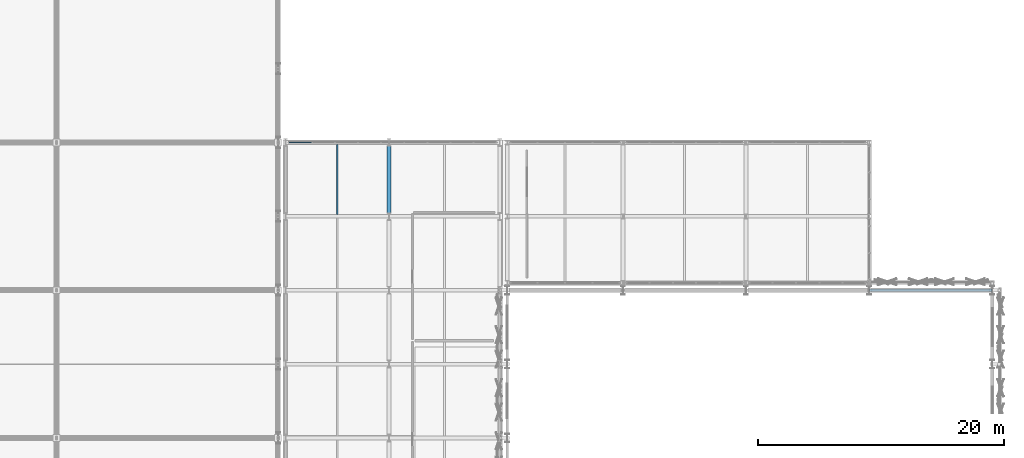
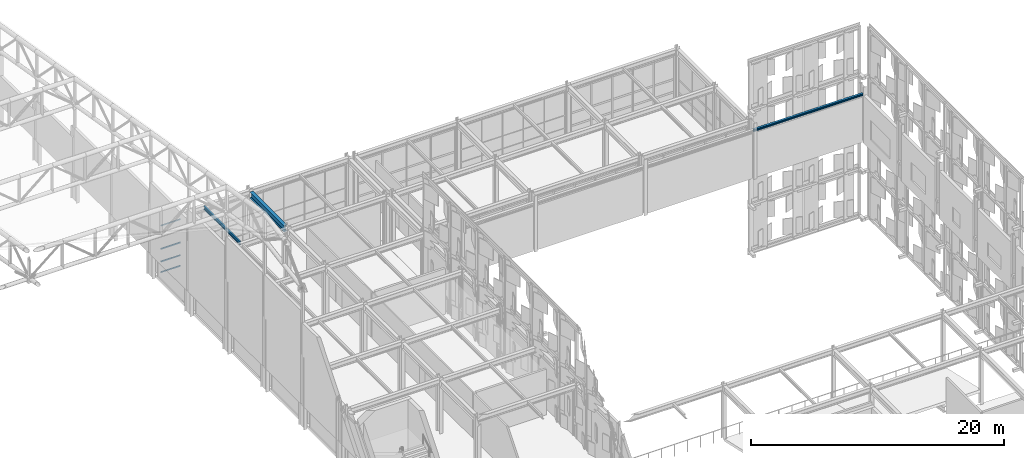
# One storey, part 170 of 239: 4 members, 3 beams, 1 element without a shape of its own.
"""IFC4 building model written with IfcOpenShell, lengths in metres."""

from ifc_helpers import new_model, si_unit, direction, frame, origin, origin_2d, place, context, subcontext, project, spatial, hollow_rectangle, i_section, extrude, material, material_profile, profile_set, type_object, element, aggregate, save


model = new_model("IFC4")

# Units and contexts
model_context = context("Model", 3, precision=1e-05, world=origin(), true_north=direction((0.0, 1.0)))
body_context = subcontext(model_context, "Body", "Model", "MODEL_VIEW")
ifc_project = project(units=[si_unit("LENGTHUNIT", "METRE"), si_unit("AREAUNIT", "SQUARE_METRE"), si_unit("VOLUMEUNIT", "CUBIC_METRE"), si_unit("PLANEANGLEUNIT", "RADIAN"), si_unit("MASSUNIT", "GRAM", prefix="KILO")], contexts=[model_context])

# Site, building, storey
site_placement = place(None, origin())
site = spatial("IfcSite", under=ifc_project, at=site_placement, CompositionType="ELEMENT")
building_placement = place(site_placement, origin())
building = spatial("IfcBuilding", under=site, at=building_placement, Name="Kaldris Quays Convention Centre", CompositionType="ELEMENT")
storey_placement = place(building_placement, frame((0.0, 0.0, 11.39990234375)))
storey = spatial("IfcBuildingStorey", under=building, at=storey_placement, Name="L02", CompositionType="ELEMENT", Elevation=11.39990234375)

# Curtain wall, members
ifc_material_1 = material(Name="Anodized aluminium AW-6060 and triple glazing", Category="aluminium")
curtain_wall_type = type_object("IfcCurtainWallType", Name="UNITISED CURTAIN WALL CW05", PredefinedType="NOTDEFINED", material=ifc_material_1)
curtain_wall_placement = place(storey_placement, origin())
curtain_wall = element("IfcCurtainWall", 1, at=curtain_wall_placement, inside=storey, type_object=curtain_wall_type, Name="L02 Unitised Curtain Wall CW05 144", PredefinedType="NOTDEFINED")
ifc_material_2 = material(Name="Anodized aluminium AW-6060", Category="aluminium")
ifc_material_profile_1 = material_profile(ifc_material_2, hollow_rectangle(XDim=0.06005859375, YDim=0.1201171875, WallThickness=0.00390625, at=origin_2d()), Name="RHS 120x60x4")
ifc_profile_set_1 = profile_set([ifc_material_profile_1], Name="Anodized aluminium AW-6060")
member_type = type_object("IfcMemberType", Name="CURTAIN TRANSOM CWT1", PredefinedType="USERDEFINED", material=ifc_profile_set_1)
member_1_placement = place(storey_placement, frame((146.909912109375, 116.0, 0.030029296875), z_axis=(1.0, 0.0, 0.0), x_axis=(0.0, 1.0, 0.0)))
member_1 = element("IfcMember", 2, at=member_1_placement, type_object=member_type, Name="CW05 transom 1.1", ObjectType="TRANSOM", PredefinedType="USERDEFINED", context=body_context, shape_type="SweptSolid", body=[
    extrude(hollow_rectangle(XDim=0.06005859375, YDim=0.1201171875, WallThickness=0.00390625, at=origin_2d()), origin(), (0.0, 0.0, 1.0), 1.787841796875),
])
member_2_placement = place(storey_placement, frame((146.909912109375, 116.0, 1.050048828125), z_axis=(1.0, 0.0, 0.0), x_axis=(0.0, 1.0, 0.0)))
member_2 = element("IfcMember", 3, at=member_2_placement, type_object=member_type, Name="CW05 transom 1.2", ObjectType="TRANSOM", PredefinedType="USERDEFINED", context=body_context, shape_type="SweptSolid", body=[
    extrude(hollow_rectangle(XDim=0.06005859375, YDim=0.1201171875, WallThickness=0.00390625, at=origin_2d()), origin(), (0.0, 0.0, 1.0), 1.787841796875),
])
member_3_placement = place(storey_placement, frame((146.909912109375, 116.0, 2.274169921875), z_axis=(1.0, 0.0, 0.0), x_axis=(0.0, 1.0, 0.0)))
member_3 = element("IfcMember", 4, at=member_3_placement, type_object=member_type, Name="CW05 transom 1.3", ObjectType="TRANSOM", PredefinedType="USERDEFINED", context=body_context, shape_type="SweptSolid", body=[
    extrude(hollow_rectangle(XDim=0.06005859375, YDim=0.1201171875, WallThickness=0.00390625, at=origin_2d()), origin(), (0.0, 0.0, 1.0), 1.787841796875),
])
member_4_placement = place(storey_placement, frame((146.909912109375, 116.0, 4.51806640625), z_axis=(1.0, 0.0, 0.0), x_axis=(0.0, 1.0, 0.0)))
member_4 = element("IfcMember", 5, at=member_4_placement, type_object=member_type, Name="CW05 transom 1.4", ObjectType="TRANSOM", PredefinedType="USERDEFINED", context=body_context, shape_type="SweptSolid", body=[
    extrude(hollow_rectangle(XDim=0.06005859375, YDim=0.1201171875, WallThickness=0.00390625, at=origin_2d()), origin(), (0.0, 0.0, 1.0), 1.787841796875),
])
aggregate(curtain_wall, [member_1, member_2, member_3, member_4])

# Beams
ifc_material_3 = material(Name="Steel S355J2", Category="steel")
ifc_material_profile_2 = material_profile(ifc_material_3, i_section(OverallWidth=0.300048828125, OverallDepth=0.590087890625, WebThickness=0.012939453125, FlangeThickness=0.02490234375, FilletRadius=0.027099609375, at=origin_2d()), Name="HEA 600")
ifc_profile_set_2 = profile_set([ifc_material_profile_2], Name="Steel S355J2")
beam_type_1 = type_object("IfcBeamType", Name="STRUCTURAL BEAM BM08", PredefinedType="BEAM", material=ifc_profile_set_2)
beam_1_placement = place(storey_placement, frame((155.0, 110.2939453125, 4.8681640625), z_axis=(0.0, 1.0, 0.0), x_axis=(-1.0, 0.0, 0.0)))
element("IfcBeam", 6, at=beam_1_placement, inside=storey, type_object=beam_type_1, Name="L02 Girder BM08 89", PredefinedType="BEAM", context=body_context, shape_type="SweptSolid", body=[
    extrude(i_section(OverallWidth=0.300048828125, OverallDepth=0.590087890625, WebThickness=0.012939453125, FlangeThickness=0.02490234375, FilletRadius=0.027099609375, at=origin_2d()), origin(), (0.0, 0.0, 1.0), 5.412109375),
])
ifc_material_profile_3 = material_profile(ifc_material_3, i_section(OverallWidth=0.14990234375, OverallDepth=0.300048828125, WebThickness=0.007080078125, FlangeThickness=0.0107421875, FilletRadius=0.014892578125, at=origin_2d()), Name="IPE 300")
ifc_profile_set_3 = profile_set([ifc_material_profile_3], Name="Steel S355J2")
beam_type_2 = type_object("IfcBeamType", Name="STRUCTURAL BEAM JT04", PredefinedType="JOIST", material=ifc_profile_set_3)
beam_2_placement = place(storey_placement, frame((150.800048828125, 110.14404296875, 5.01318359375), z_axis=(0.0, 1.0, 0.0), x_axis=(-1.0, 0.0, 0.0)))
element("IfcBeam", 7, at=beam_2_placement, inside=storey, type_object=beam_type_2, Name="L02 Secondary Joist JT04 31", PredefinedType="JOIST", context=body_context, shape_type="SweptSolid", body=[
    extrude(i_section(OverallWidth=0.14990234375, OverallDepth=0.300048828125, WebThickness=0.007080078125, FlangeThickness=0.0107421875, FilletRadius=0.014892578125, at=origin_2d()), origin(), (0.0, 0.0, 1.0), 5.7119140625),
])
ifc_material_profile_4 = material_profile(ifc_material_3, i_section(OverallWidth=0.199951171875, OverallDepth=0.199951171875, WebThickness=0.009033203125, FlangeThickness=0.014892578125, FilletRadius=0.01806640625, at=origin_2d()), Name="HEB 200")
ifc_profile_set_4 = profile_set([ifc_material_profile_4], Name="Steel S355J2")
beam_type_3 = type_object("IfcBeamType", Name="STRUCTURAL BEAM SP06", PredefinedType="SPANDREL", material=ifc_profile_set_4)
beam_3_placement = place(storey_placement, frame((194.006103515625, 104.0, 4.5), z_axis=(1.0, 0.0, 0.0), x_axis=(0.0, 1.0, 0.0)))
element("IfcBeam", 8, at=beam_3_placement, inside=storey, type_object=beam_type_3, Name="L02 Perimeter Wall-Bearing Spandrel SP06 72", PredefinedType="SPANDREL", context=body_context, shape_type="SweptSolid", body=[
    extrude(i_section(OverallWidth=0.199951171875, OverallDepth=0.199951171875, WebThickness=0.009033203125, FlangeThickness=0.014892578125, FilletRadius=0.01806640625, at=origin_2d()), origin(), (0.0, 0.0, 1.0), 9.98779296875),
])

save(model, "model.ifc")
